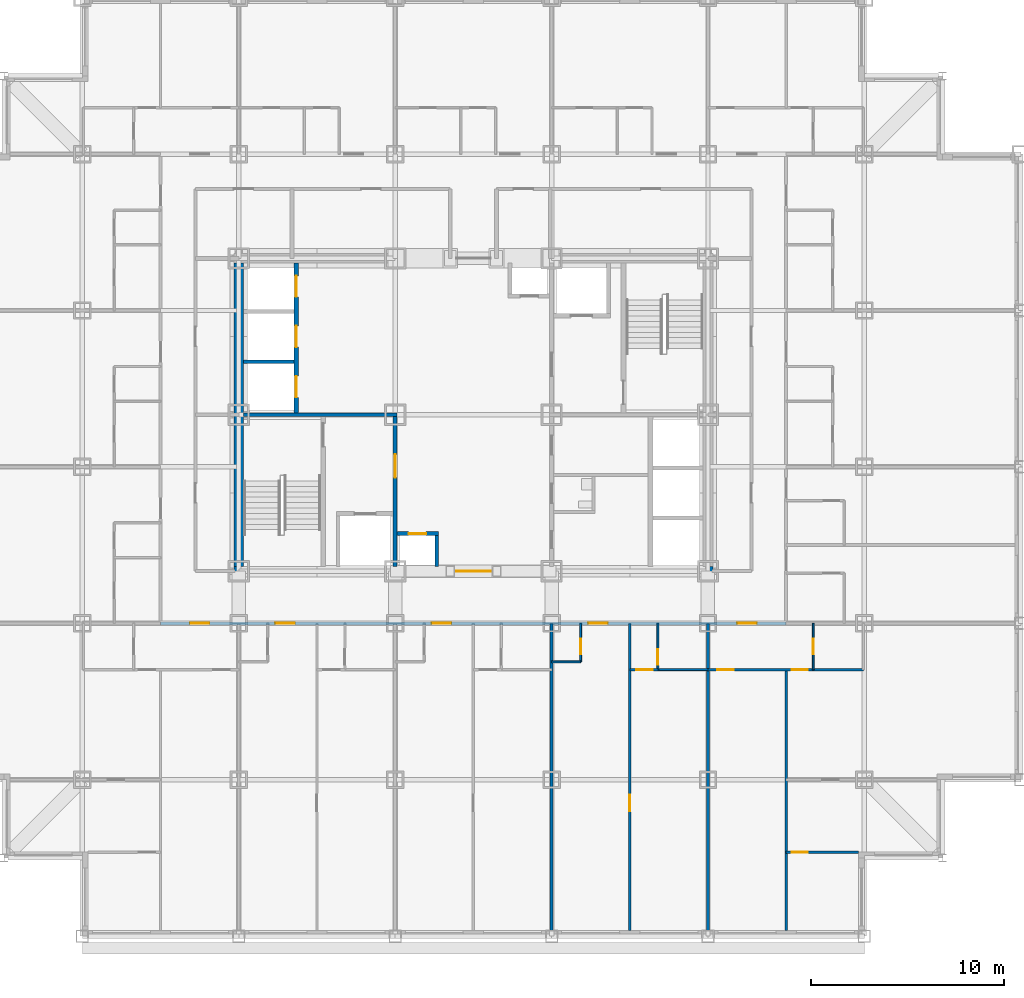
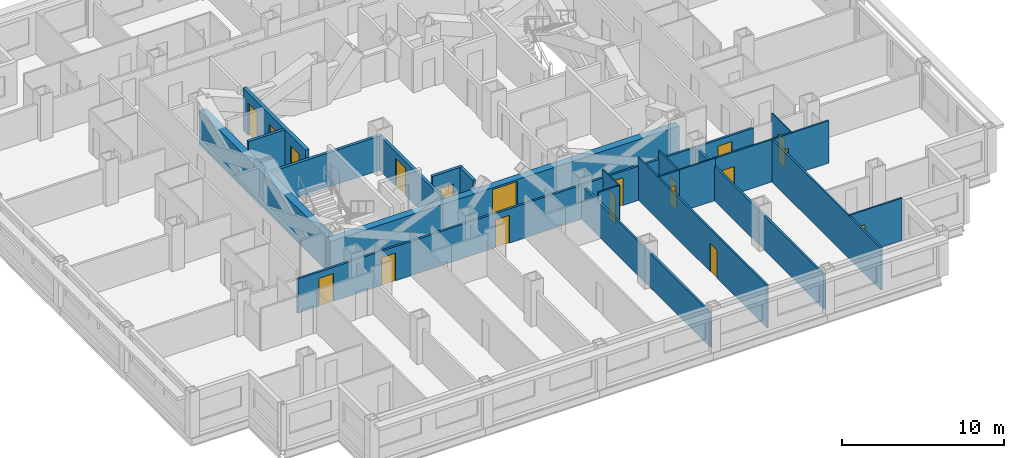
# One storey, part 6 of 13: 21 walls, 19 doors, 19 openings.
"""IFC4 building model written with IfcOpenShell, lengths in metres."""

from ifc_helpers import new_model, si_unit, direction, frame, frame_2d, origin, place, context, subcontext, project, spatial, rectangle, extrude, material, layer, layer_set, type_object, element, fill, save


model = new_model("IFC4")

# Units and contexts
model_context = context("Model", 3, precision=1e-05, world=origin(), true_north=direction((0.0, 1.0)))
body_context = subcontext(model_context, "Body", "Model", "MODEL_VIEW")
ifc_project = project(units=[si_unit("LENGTHUNIT", "METRE"), si_unit("AREAUNIT", "SQUARE_METRE"), si_unit("VOLUMEUNIT", "CUBIC_METRE"), si_unit("PLANEANGLEUNIT", "RADIAN"), si_unit("MASSUNIT", "GRAM", prefix="KILO")], contexts=[model_context])

# Site, building, storey
site_placement = place(None, origin())
site = spatial("IfcSite", under=ifc_project, at=site_placement, CompositionType="ELEMENT")
building_placement = place(site_placement, origin())
building = spatial("IfcBuilding", under=site, at=building_placement, Name="Kopane Lantern Tower", CompositionType="ELEMENT")
storey_placement = place(building_placement, frame((0.0, 0.0, 110.199951171875)))
storey = spatial("IfcBuildingStorey", under=building, at=storey_placement, Name="L27", CompositionType="ELEMENT", Elevation=110.199951171875)

# Wall, opening, door
ifc_material_1 = material(Name="Gypsum board on steel studs", Category="steel")
ifc_layer_1 = layer(ifc_material_1, 0.1201171875)
ifc_layer_set_1 = layer_set([ifc_layer_1], Name="APARTMENT INTERNAL WALL 120")
wall_type_1 = type_object("IfcWallType", Name="APARTMENT INTERNAL WALL 120", PredefinedType="PARTITIONING", material=ifc_layer_set_1)
wall_1_placement = place(storey_placement, frame((36.449951171875, 21.60009765625, 0.0), z_axis=(0.0, 0.0, 1.0), x_axis=(0.0, -1.0, 0.0)))
wall_1 = element("IfcWall", 1, at=wall_1_placement, inside=storey, type_object=wall_type_1, Name="Apartment Internal Wall 120 L27", PredefinedType="PARTITIONING", context=body_context, shape_type="SweptSolid", body=[
    extrude(rectangle(XDim=15.900146484375, YDim=0.1201171875, at=frame_2d((7.9501953125, 0.0))), origin(), (0.0, 0.0, 1.0), 3.18994140625),
])
opening_1_placement = place(wall_1_placement, frame((8.875, 0.0, 0.0)))
opening_1 = element("IfcOpeningElement", 2, at=opening_1_placement, cuts=wall_1, Name="Opening L27-020", PredefinedType="OPENING", context=body_context, shape_type="SweptSolid", body=[
    extrude(rectangle(XDim=0.85009765625, YDim=2.10009765625, at=frame_2d((0.425048828125, 1.050048828125))), frame((0.0, 0.070068359375, 0.0), z_axis=(0.0, -1.0, 0.0), x_axis=(1.0, 0.0, 0.0)), (0.0, 0.0, 1.0), 0.14013671875),
])
ifc_material_2 = material(Name="Timber door set", Category="wood")
door_type_1 = type_object("IfcDoorType", Name="DOOR D4 850x2100", OperationType="SINGLE_SWING_LEFT", PredefinedType="DOOR", material=ifc_material_2)
door_1_placement = place(opening_1_placement, origin())
door_1 = element("IfcDoor", 3, at=door_1_placement, inside=storey, type_object=door_type_1, Name="Door L27-020", OperationType="SINGLE_SWING_LEFT", OverallHeight=2.10009765625, OverallWidth=0.85009765625, PredefinedType="DOOR", context=body_context, shape_type="SweptSolid", body=[
    extrude(rectangle(XDim=0.85009765625, YDim=2.10009765625, at=frame_2d((0.425048828125, 1.050048828125))), frame((0.0, 0.02490234375, 0.0), z_axis=(0.0, -1.0, 0.0), x_axis=(1.0, 0.0, 0.0)), (0.0, 0.0, 1.0), 0.050048828125),
])
fill(opening_1, door_1)

# Wall, openings, doors
wall_2_placement = place(storey_placement, frame((40.5, 19.199951171875, 0.0), z_axis=(0.0, 0.0, 1.0), x_axis=(1.0, 0.0, 0.0)))
wall_2 = element("IfcWall", 4, at=wall_2_placement, inside=storey, type_object=wall_type_1, Name="Apartment Internal Wall 120 L27", PredefinedType="PARTITIONING", context=body_context, shape_type="SweptSolid", body=[
    extrude(rectangle(XDim=8.050048828125, YDim=0.1201171875, at=frame_2d((4.02490234375, 0.0))), origin(), (0.0, 0.0, 1.0), 3.18994140625),
])
opening_2_placement = place(wall_2_placement, frame((0.47509765625, 0.0, 0.0)))
opening_2 = element("IfcOpeningElement", 5, at=opening_2_placement, cuts=wall_2, Name="Opening L27-055", PredefinedType="OPENING", context=body_context, shape_type="SweptSolid", body=[
    extrude(rectangle(XDim=0.85009765625, YDim=2.10009765625, at=frame_2d((0.425048828125, 1.050048828125))), frame((0.0, 0.070068359375, 0.0), z_axis=(0.0, -1.0, 0.0), x_axis=(1.0, 0.0, 0.0)), (0.0, 0.0, 1.0), 0.14013671875),
])
opening_3_placement = place(wall_2_placement, frame((4.324951171875, 0.0, 0.0)))
opening_3 = element("IfcOpeningElement", 6, at=opening_3_placement, cuts=wall_2, Name="Opening L27-057", PredefinedType="OPENING", context=body_context, shape_type="SweptSolid", body=[
    extrude(rectangle(XDim=0.85009765625, YDim=2.10009765625, at=frame_2d((0.425048828125, 1.050048828125))), frame((0.0, 0.070068359375, 0.0), z_axis=(0.0, -1.0, 0.0), x_axis=(1.0, 0.0, 0.0)), (0.0, 0.0, 1.0), 0.14013671875),
])
door_2_placement = place(opening_2_placement, origin())
door_2 = element("IfcDoor", 7, at=door_2_placement, inside=storey, type_object=door_type_1, Name="Door L27-055", OperationType="SINGLE_SWING_LEFT", OverallHeight=2.10009765625, OverallWidth=0.85009765625, PredefinedType="DOOR", context=body_context, shape_type="SweptSolid", body=[
    extrude(rectangle(XDim=0.85009765625, YDim=2.10009765625, at=frame_2d((0.425048828125, 1.050048828125))), frame((0.0, 0.02490234375, 0.0), z_axis=(0.0, -1.0, 0.0), x_axis=(1.0, 0.0, 0.0)), (0.0, 0.0, 1.0), 0.050048828125),
])
fill(opening_2, door_2)
door_3_placement = place(opening_3_placement, origin())
door_3 = element("IfcDoor", 8, at=door_3_placement, inside=storey, type_object=door_type_1, Name="Door L27-057", OperationType="SINGLE_SWING_RIGHT", OverallHeight=2.10009765625, OverallWidth=0.85009765625, PredefinedType="DOOR", context=body_context, shape_type="SweptSolid", body=[
    extrude(rectangle(XDim=0.85009765625, YDim=2.10009765625, at=frame_2d((0.425048828125, 1.050048828125))), frame((0.0, 0.02490234375, 0.0), z_axis=(0.0, -1.0, 0.0), x_axis=(1.0, 0.0, 0.0)), (0.0, 0.0, 1.0), 0.050048828125),
])
fill(opening_3, door_3)

# Wall
wall_3_placement = place(storey_placement, frame((44.550048828125, 19.199951171875, 0.0), z_axis=(0.0, 0.0, 1.0), x_axis=(0.0, -1.0, 0.0)))
element("IfcWall", 9, at=wall_3_placement, inside=storey, type_object=wall_type_1, Name="Apartment Internal Wall 120 L27", PredefinedType="PARTITIONING", context=body_context, shape_type="SweptSolid", body=[
    extrude(rectangle(XDim=13.5, YDim=0.1201171875, at=frame_2d((6.75, 0.0))), origin(), (0.0, 0.0, 1.0), 3.18994140625),
])

# Wall, opening, door
wall_4_placement = place(storey_placement, frame((37.909912109375, 19.199951171875, 0.0), z_axis=(0.0, 0.0, 1.0), x_axis=(-1.0, 0.0, 0.0)))
wall_4 = element("IfcWall", 10, at=wall_4_placement, inside=storey, type_object=wall_type_1, Name="Apartment Internal Wall 120 L27", PredefinedType="PARTITIONING", context=body_context, shape_type="SweptSolid", body=[
    extrude(rectangle(XDim=1.4599609375, YDim=0.1201171875, at=frame_2d((0.72998046875, 0.0))), origin(), (0.0, 0.0, 1.0), 3.18994140625),
])
opening_4_placement = place(wall_4_placement, frame((0.27490234375, 0.0, 0.0)))
opening_4 = element("IfcOpeningElement", 11, at=opening_4_placement, cuts=wall_4, Name="Opening L27-069", PredefinedType="OPENING", context=body_context, shape_type="SweptSolid", body=[
    extrude(rectangle(XDim=0.85009765625, YDim=2.10009765625, at=frame_2d((0.425048828125, 1.050048828125))), frame((0.0, 0.070068359375, 0.0), z_axis=(0.0, -1.0, 0.0), x_axis=(1.0, 0.0, 0.0)), (0.0, 0.0, 1.0), 0.14013671875),
])
door_4_placement = place(opening_4_placement, origin())
door_4 = element("IfcDoor", 12, at=door_4_placement, inside=storey, type_object=door_type_1, Name="Door L27-069", OperationType="SINGLE_SWING_RIGHT", OverallHeight=2.10009765625, OverallWidth=0.85009765625, PredefinedType="DOOR", context=body_context, shape_type="SweptSolid", body=[
    extrude(rectangle(XDim=0.85009765625, YDim=2.10009765625, at=frame_2d((0.425048828125, 1.050048828125))), frame((0.0, 0.02490234375, 0.0), z_axis=(0.0, -1.0, 0.0), x_axis=(1.0, 0.0, 0.0)), (0.0, 0.0, 1.0), 0.050048828125),
])
fill(opening_4, door_4)

wall_5_placement = place(storey_placement, frame((44.550048828125, 9.75, 0.0), z_axis=(0.0, 0.0, 1.0), x_axis=(1.0, 0.0, 0.0)))
wall_5 = element("IfcWall", 13, at=wall_5_placement, inside=storey, type_object=wall_type_1, Name="Apartment Internal Wall 120 L27", PredefinedType="PARTITIONING", context=body_context, shape_type="SweptSolid", body=[
    extrude(rectangle(XDim=3.75, YDim=0.1201171875, at=frame_2d((1.875, 0.0))), origin(), (0.0, 0.0, 1.0), 3.18994140625),
])
opening_5_placement = place(wall_5_placement, frame((0.27490234375, 0.0, 0.0)))
opening_5 = element("IfcOpeningElement", 14, at=opening_5_placement, cuts=wall_5, Name="Opening L27-071", PredefinedType="OPENING", context=body_context, shape_type="SweptSolid", body=[
    extrude(rectangle(XDim=0.85009765625, YDim=2.10009765625, at=frame_2d((0.425048828125, 1.050048828125))), frame((0.0, 0.070068359375, 0.0), z_axis=(0.0, -1.0, 0.0), x_axis=(1.0, 0.0, 0.0)), (0.0, 0.0, 1.0), 0.14013671875),
])
door_5_placement = place(opening_5_placement, origin())
door_5 = element("IfcDoor", 15, at=door_5_placement, inside=storey, type_object=door_type_1, Name="Door L27-071", OperationType="SINGLE_SWING_RIGHT", OverallHeight=2.10009765625, OverallWidth=0.85009765625, PredefinedType="DOOR", context=body_context, shape_type="SweptSolid", body=[
    extrude(rectangle(XDim=0.85009765625, YDim=2.10009765625, at=frame_2d((0.425048828125, 1.050048828125))), frame((0.0, 0.02490234375, 0.0), z_axis=(0.0, -1.0, 0.0), x_axis=(1.0, 0.0, 0.0)), (0.0, 0.0, 1.0), 0.050048828125),
])
fill(opening_5, door_5)

# Wall
ifc_material_3 = material(Name="Moisture-resistant board on steel studs", Category="steel")
ifc_layer_2 = layer(ifc_material_3, 0.10009765625)
ifc_layer_set_2 = layer_set([ifc_layer_2], Name="BATHROOM WALL 100")
wall_type_2 = type_object("IfcWallType", Name="BATHROOM WALL 100", PredefinedType="PARTITIONING", material=ifc_layer_set_2)
wall_6_placement = place(storey_placement, frame((32.39990234375, 19.60009765625, 0.0), z_axis=(0.0, 0.0, 1.0), x_axis=(1.0, 0.0, 0.0)))
element("IfcWall", 16, at=wall_6_placement, inside=storey, type_object=wall_type_2, Name="Bathroom Wall 100 L27", PredefinedType="PARTITIONING", context=body_context, shape_type="SweptSolid", body=[
    extrude(rectangle(XDim=1.5, YDim=0.10009765625, at=frame_2d((0.75, 0.0))), origin(), (0.0, 0.0, 1.0), 3.18994140625),
])

# Wall, opening, door
wall_7_placement = place(storey_placement, frame((33.89990234375, 21.60009765625, 0.0), z_axis=(0.0, 0.0, 1.0), x_axis=(0.0, -1.0, 0.0)))
wall_7 = element("IfcWall", 17, at=wall_7_placement, inside=storey, type_object=wall_type_2, Name="Bathroom Wall 100 L27", PredefinedType="PARTITIONING", context=body_context, shape_type="SweptSolid", body=[
    extrude(rectangle(XDim=2.0, YDim=0.10009765625, at=frame_2d((1.0, 0.0))), origin(), (0.0, 0.0, 1.0), 3.18994140625),
])
opening_6_placement = place(wall_7_placement, frame((0.800048828125, 0.0, 0.0)))
opening_6 = element("IfcOpeningElement", 18, at=opening_6_placement, cuts=wall_7, Name="Opening L27-017", PredefinedType="OPENING", context=body_context, shape_type="SweptSolid", body=[
    extrude(rectangle(XDim=0.800048828125, YDim=2.10009765625, at=frame_2d((0.39990234375, 1.050048828125))), frame((0.0, 0.06005859375, 0.0), z_axis=(0.0, -1.0, 0.0), x_axis=(1.0, 0.0, 0.0)), (0.0, 0.0, 1.0), 0.1201171875),
])
ifc_material_4 = material(Name="Timber door set", Category="wood")
door_type_2 = type_object("IfcDoorType", Name="DOOR D2 800x2100", OperationType="SINGLE_SWING_LEFT", PredefinedType="DOOR", material=ifc_material_4)
door_6_placement = place(opening_6_placement, origin())
door_6 = element("IfcDoor", 19, at=door_6_placement, inside=storey, type_object=door_type_2, Name="Door L27-017", OperationType="SINGLE_SWING_LEFT", OverallHeight=2.10009765625, OverallWidth=0.800048828125, PredefinedType="DOOR", context=body_context, shape_type="SweptSolid", body=[
    extrude(rectangle(XDim=0.800048828125, YDim=2.10009765625, at=frame_2d((0.39990234375, 1.050048828125))), frame((0.0, 0.02490234375, 0.0), z_axis=(0.0, -1.0, 0.0), x_axis=(1.0, 0.0, 0.0)), (0.0, 0.0, 1.0), 0.050048828125),
])
fill(opening_6, door_6)

# Wall
wall_8_placement = place(storey_placement, frame((37.89990234375, 19.199951171875, 0.0), z_axis=(0.0, 0.0, 1.0), x_axis=(1.0, 0.0, 0.0)))
element("IfcWall", 20, at=wall_8_placement, inside=storey, type_object=wall_type_2, Name="Bathroom Wall 100 L27", PredefinedType="PARTITIONING", context=body_context, shape_type="SweptSolid", body=[
    extrude(rectangle(XDim=2.60009765625, YDim=0.10009765625, at=frame_2d((1.300048828125, 0.0))), origin(), (0.0, 0.0, 1.0), 3.18994140625),
])

# Wall, opening, door
wall_9_placement = place(storey_placement, frame((37.89990234375, 21.60009765625, 0.0), z_axis=(0.0, 0.0, 1.0), x_axis=(0.0, -1.0, 0.0)))
wall_9 = element("IfcWall", 21, at=wall_9_placement, inside=storey, type_object=wall_type_2, Name="Bathroom Wall 100 L27", PredefinedType="PARTITIONING", context=body_context, shape_type="SweptSolid", body=[
    extrude(rectangle(XDim=2.400146484375, YDim=0.10009765625, at=frame_2d((1.2001953125, 0.0))), origin(), (0.0, 0.0, 1.0), 3.18994140625),
])
opening_7_placement = place(wall_9_placement, frame((1.35009765625, 0.0, 0.0)))
opening_7 = element("IfcOpeningElement", 22, at=opening_7_placement, cuts=wall_9, Name="Opening L27-019", PredefinedType="OPENING", context=body_context, shape_type="SweptSolid", body=[
    extrude(rectangle(XDim=0.800048828125, YDim=2.10009765625, at=frame_2d((0.39990234375, 1.050048828125))), frame((0.0, 0.06005859375, 0.0), z_axis=(0.0, -1.0, 0.0), x_axis=(1.0, 0.0, 0.0)), (0.0, 0.0, 1.0), 0.1201171875),
])
door_7_placement = place(opening_7_placement, origin())
door_7 = element("IfcDoor", 23, at=door_7_placement, inside=storey, type_object=door_type_2, Name="Door L27-019", OperationType="SINGLE_SWING_LEFT", OverallHeight=2.10009765625, OverallWidth=0.800048828125, PredefinedType="DOOR", context=body_context, shape_type="SweptSolid", body=[
    extrude(rectangle(XDim=0.800048828125, YDim=2.10009765625, at=frame_2d((0.39990234375, 1.050048828125))), frame((0.0, 0.02490234375, 0.0), z_axis=(0.0, -1.0, 0.0), x_axis=(1.0, 0.0, 0.0)), (0.0, 0.0, 1.0), 0.050048828125),
])
fill(opening_7, door_7)

wall_10_placement = place(storey_placement, frame((45.949951171875, 21.60009765625, 0.0), z_axis=(0.0, 0.0, 1.0), x_axis=(0.0, -1.0, 0.0)))
wall_10 = element("IfcWall", 24, at=wall_10_placement, inside=storey, type_object=wall_type_2, Name="Bathroom Wall 100 L27", PredefinedType="PARTITIONING", context=body_context, shape_type="SweptSolid", body=[
    extrude(rectangle(XDim=2.400146484375, YDim=0.10009765625, at=frame_2d((1.2001953125, 0.0))), origin(), (0.0, 0.0, 1.0), 3.18994140625),
])
opening_8_placement = place(wall_10_placement, frame((0.800048828125, 0.0, 0.0)))
opening_8 = element("IfcOpeningElement", 25, at=opening_8_placement, cuts=wall_10, Name="Opening L27-056", PredefinedType="OPENING", context=body_context, shape_type="SweptSolid", body=[
    extrude(rectangle(XDim=0.800048828125, YDim=2.10009765625, at=frame_2d((0.39990234375, 1.050048828125))), frame((0.0, 0.06005859375, 0.0), z_axis=(0.0, -1.0, 0.0), x_axis=(1.0, 0.0, 0.0)), (0.0, 0.0, 1.0), 0.1201171875),
])
door_8_placement = place(opening_8_placement, origin())
door_8 = element("IfcDoor", 26, at=door_8_placement, inside=storey, type_object=door_type_2, Name="Door L27-056", OperationType="SINGLE_SWING_LEFT", OverallHeight=2.10009765625, OverallWidth=0.800048828125, PredefinedType="DOOR", context=body_context, shape_type="SweptSolid", body=[
    extrude(rectangle(XDim=0.800048828125, YDim=2.10009765625, at=frame_2d((0.39990234375, 1.050048828125))), frame((0.0, 0.02490234375, 0.0), z_axis=(0.0, -1.0, 0.0), x_axis=(1.0, 0.0, 0.0)), (0.0, 0.0, 1.0), 0.050048828125),
])
fill(opening_8, door_8)

ifc_material_5 = material(Name="Gypsum shaft wall EI 120", Category="gypsum")
ifc_layer_3 = layer(ifc_material_5, 0.5)
ifc_layer_set_3 = layer_set([ifc_layer_3], Name="CORE PERIMETER WALL 500 EI 120")
wall_type_3 = type_object("IfcWallType", Name="CORE PERIMETER WALL 500 EI 120", PredefinedType="SOLIDWALL", material=ifc_layer_set_3)
wall_11_placement = place(storey_placement, frame((15.949951171875, 24.300048828125, 0.0), z_axis=(0.0, 0.0, 1.0), x_axis=(1.0, 0.0, 0.0)))
wall_11 = element("IfcWall", 27, at=wall_11_placement, inside=storey, type_object=wall_type_3, Name="Core shaft wall L27 PS", PredefinedType="SOLIDWALL", context=body_context, shape_type="SweptSolid", body=[
    extrude(rectangle(XDim=24.800048828125, YDim=0.5, at=frame_2d((12.39990234375, 0.0))), origin(), (0.0, 0.0, 1.0), 2.5400390625),
])
opening_9_placement = place(wall_11_placement, frame((11.5, 0.0, 0.0)))
opening_9 = element("IfcOpeningElement", 28, at=opening_9_placement, cuts=wall_11, Name="Opening 27.CE-S", PredefinedType="OPENING", context=body_context, shape_type="SweptSolid", body=[
    extrude(rectangle(XDim=1.800048828125, YDim=2.39990234375, at=frame_2d((0.89990234375, 1.199951171875))), frame((0.0, 0.260009765625, 0.0), z_axis=(0.0, -1.0, 0.0), x_axis=(1.0, 0.0, 0.0)), (0.0, 0.0, 1.0), 0.52001953125),
])
ifc_material_6 = material(Name="Steel door set", Category="steel")
door_type_3 = type_object("IfcDoorType", Name="CORE ENTRY DOOR 1800x2400 FD60S", OperationType="DOUBLE_DOOR_SINGLE_SWING", PredefinedType="DOOR", material=ifc_material_6)
door_9_placement = place(opening_9_placement, origin())
door_9 = element("IfcDoor", 29, at=door_9_placement, inside=storey, type_object=door_type_3, Name="Core entry door L27 south", OperationType="DOUBLE_DOOR_SINGLE_SWING", OverallHeight=2.39990234375, OverallWidth=1.800048828125, PredefinedType="DOOR", context=body_context, shape_type="SweptSolid", body=[
    extrude(rectangle(XDim=1.800048828125, YDim=2.39990234375, at=frame_2d((0.89990234375, 1.199951171875))), frame((0.0, 0.02490234375, 0.0), z_axis=(0.0, -1.0, 0.0), x_axis=(1.0, 0.0, 0.0)), (0.0, 0.0, 1.0), 0.050048828125),
])
fill(opening_9, door_9)

# Wall
wall_12_placement = place(storey_placement, frame((16.199951171875, 24.550048828125, 0.0), z_axis=(0.0, 0.0, 1.0), x_axis=(0.0, 1.0, 0.0)))
element("IfcWall", 30, at=wall_12_placement, inside=storey, type_object=wall_type_3, Name="Core shaft wall L27 PW", PredefinedType="SOLIDWALL", context=body_context, shape_type="SweptSolid", body=[
    extrude(rectangle(XDim=15.699951171875, YDim=0.5, at=frame_2d((7.85009765625, 0.0))), origin(), (0.0, 0.0, 1.0), 2.577880859375),
])

# Wall, openings, doors
ifc_material_7 = material(Name="Gypsum shaft wall EI 120", Category="gypsum")
ifc_layer_4 = layer(ifc_material_7, 0.25)
ifc_layer_set_4 = layer_set([ifc_layer_4], Name="CORE SHAFT WALL 250 EI 120")
wall_type_4 = type_object("IfcWallType", Name="CORE SHAFT WALL 250 EI 120", PredefinedType="SOLIDWALL", material=ifc_layer_set_4)
wall_13_placement = place(storey_placement, frame((19.175048828125, 32.5, 0.0), z_axis=(0.0, 0.0, 1.0), x_axis=(0.0, 1.0, 0.0)))
wall_13 = element("IfcWall", 31, at=wall_13_placement, inside=storey, type_object=wall_type_4, Name="Core shaft wall L27 XLH", PredefinedType="SOLIDWALL", context=body_context, shape_type="SweptSolid", body=[
    extrude(rectangle(XDim=7.75, YDim=0.25, at=frame_2d((3.875, 0.0))), origin(), (0.0, 0.0, 1.0), 3.18994140625),
])
opening_10_placement = place(wall_13_placement, frame((0.800048828125, 0.0, 0.0)))
opening_10 = element("IfcOpeningElement", 32, at=opening_10_placement, cuts=wall_13, Name="Opening 27.LD-LH1", PredefinedType="OPENING", context=body_context, shape_type="SweptSolid", body=[
    extrude(rectangle(XDim=1.10009765625, YDim=2.39990234375, at=frame_2d((0.550048828125, 1.199951171875))), frame((0.0, 0.135009765625, 0.0), z_axis=(0.0, -1.0, 0.0), x_axis=(1.0, 0.0, 0.0)), (0.0, 0.0, 1.0), 0.27001953125),
])
opening_11_placement = place(wall_13_placement, frame((3.39990234375, 0.0, 0.0)))
opening_11 = element("IfcOpeningElement", 33, at=opening_11_placement, cuts=wall_13, Name="Opening 27.LD-LH2", PredefinedType="OPENING", context=body_context, shape_type="SweptSolid", body=[
    extrude(rectangle(XDim=1.10009765625, YDim=2.39990234375, at=frame_2d((0.550048828125, 1.199951171875))), frame((0.0, 0.135009765625, 0.0), z_axis=(0.0, -1.0, 0.0), x_axis=(1.0, 0.0, 0.0)), (0.0, 0.0, 1.0), 0.27001953125),
])
opening_12_placement = place(wall_13_placement, frame((6.0, 0.0, 0.0)))
opening_12 = element("IfcOpeningElement", 34, at=opening_12_placement, cuts=wall_13, Name="Opening 27.LD-LH3", PredefinedType="OPENING", context=body_context, shape_type="SweptSolid", body=[
    extrude(rectangle(XDim=1.10009765625, YDim=2.39990234375, at=frame_2d((0.550048828125, 1.199951171875))), frame((0.0, 0.135009765625, 0.0), z_axis=(0.0, -1.0, 0.0), x_axis=(1.0, 0.0, 0.0)), (0.0, 0.0, 1.0), 0.27001953125),
])
ifc_material_8 = material(Name="Steel door set", Category="steel")
door_type_4 = type_object("IfcDoorType", Name="LIFT LANDING DOOR 1100x2400 FD60", OperationType="DOUBLE_DOOR_SLIDING", PredefinedType="DOOR", material=ifc_material_8)
door_10_placement = place(opening_10_placement, origin())
door_10 = element("IfcDoor", 35, at=door_10_placement, inside=storey, type_object=door_type_4, Name="Landing door LH1 L27", OperationType="DOUBLE_DOOR_SLIDING", OverallHeight=2.39990234375, OverallWidth=1.10009765625, PredefinedType="DOOR", context=body_context, shape_type="SweptSolid", body=[
    extrude(rectangle(XDim=1.10009765625, YDim=2.39990234375, at=frame_2d((0.550048828125, 1.199951171875))), frame((0.0, 0.02490234375, 0.0), z_axis=(0.0, -1.0, 0.0), x_axis=(1.0, 0.0, 0.0)), (0.0, 0.0, 1.0), 0.050048828125),
])
fill(opening_10, door_10)
door_11_placement = place(opening_11_placement, origin())
door_11 = element("IfcDoor", 36, at=door_11_placement, inside=storey, type_object=door_type_4, Name="Landing door LH2 L27", OperationType="DOUBLE_DOOR_SLIDING", OverallHeight=2.39990234375, OverallWidth=1.10009765625, PredefinedType="DOOR", context=body_context, shape_type="SweptSolid", body=[
    extrude(rectangle(XDim=1.10009765625, YDim=2.39990234375, at=frame_2d((0.550048828125, 1.199951171875))), frame((0.0, 0.02490234375, 0.0), z_axis=(0.0, -1.0, 0.0), x_axis=(1.0, 0.0, 0.0)), (0.0, 0.0, 1.0), 0.050048828125),
])
fill(opening_11, door_11)
door_12_placement = place(opening_12_placement, origin())
door_12 = element("IfcDoor", 37, at=door_12_placement, inside=storey, type_object=door_type_4, Name="Landing door LH3 L27", OperationType="DOUBLE_DOOR_SLIDING", OverallHeight=2.39990234375, OverallWidth=1.10009765625, PredefinedType="DOOR", context=body_context, shape_type="SweptSolid", body=[
    extrude(rectangle(XDim=1.10009765625, YDim=2.39990234375, at=frame_2d((0.550048828125, 1.199951171875))), frame((0.0, 0.02490234375, 0.0), z_axis=(0.0, -1.0, 0.0), x_axis=(1.0, 0.0, 0.0)), (0.0, 0.0, 1.0), 0.050048828125),
])
fill(opening_12, door_12)

ifc_material_9 = material(Name="Gypsum board on steel studs", Category="steel")
ifc_layer_5 = layer(ifc_material_9, 0.14990234375)
ifc_layer_set_5 = layer_set([ifc_layer_5], Name="CORRIDOR WALL 150 EI 60")
wall_type_5 = type_object("IfcWallType", Name="CORRIDOR WALL 150 EI 60", PredefinedType="PARTITIONING", material=ifc_layer_set_5)
wall_14_placement = place(storey_placement, frame((12.14990234375, 21.60009765625, 0.0), z_axis=(0.0, 0.0, 1.0), x_axis=(1.0, 0.0, 0.0)))
wall_14 = element("IfcWall", 38, at=wall_14_placement, inside=storey, type_object=wall_type_5, Name="Corridor Wall 150 Ei 60 L27", PredefinedType="PARTITIONING", context=body_context, shape_type="SweptSolid", body=[
    extrude(rectangle(XDim=32.400146484375, YDim=0.14990234375, at=frame_2d((16.2001953125, 0.0))), origin(), (0.0, 0.0, 1.0), 2.577880859375),
])
opening_13_placement = place(wall_14_placement, frame((5.949951171875, 0.0, 0.0)))
opening_13 = element("IfcOpeningElement", 39, at=opening_13_placement, cuts=wall_14, Name="Opening L27-010", PredefinedType="OPENING", context=body_context, shape_type="SweptSolid", body=[
    extrude(rectangle(XDim=1.0, YDim=2.10009765625, at=frame_2d((0.5, 1.050048828125))), frame((0.0, 0.0849609375, 0.0), z_axis=(0.0, -1.0, 0.0), x_axis=(1.0, 0.0, 0.0)), (0.0, 0.0, 1.0), 0.169921875),
])
opening_14_placement = place(wall_14_placement, frame((14.050048828125, 0.0, 0.0)))
opening_14 = element("IfcOpeningElement", 40, at=opening_14_placement, cuts=wall_14, Name="Opening L27-014", PredefinedType="OPENING", context=body_context, shape_type="SweptSolid", body=[
    extrude(rectangle(XDim=1.0, YDim=2.10009765625, at=frame_2d((0.5, 1.050048828125))), frame((0.0, 0.0849609375, 0.0), z_axis=(0.0, -1.0, 0.0), x_axis=(1.0, 0.0, 0.0)), (0.0, 0.0, 1.0), 0.169921875),
])
opening_15_placement = place(wall_14_placement, frame((22.14990234375, 0.0, 0.0)))
opening_15 = element("IfcOpeningElement", 41, at=opening_15_placement, cuts=wall_14, Name="Opening L27-018", PredefinedType="OPENING", context=body_context, shape_type="SweptSolid", body=[
    extrude(rectangle(XDim=1.0, YDim=2.10009765625, at=frame_2d((0.5, 1.050048828125))), frame((0.0, 0.0849609375, 0.0), z_axis=(0.0, -1.0, 0.0), x_axis=(1.0, 0.0, 0.0)), (0.0, 0.0, 1.0), 0.169921875),
])
opening_16_placement = place(wall_14_placement, frame((1.52490234375, 0.0, 0.0)))
opening_16 = element("IfcOpeningElement", 42, at=opening_16_placement, cuts=wall_14, Name="Opening L27-049", PredefinedType="OPENING", context=body_context, shape_type="SweptSolid", body=[
    extrude(rectangle(XDim=1.0, YDim=2.10009765625, at=frame_2d((0.5, 1.050048828125))), frame((0.0, 0.0849609375, 0.0), z_axis=(0.0, -1.0, 0.0), x_axis=(1.0, 0.0, 0.0)), (0.0, 0.0, 1.0), 0.169921875),
])
opening_17_placement = place(wall_14_placement, frame((29.875, 0.0, 0.0)))
opening_17 = element("IfcOpeningElement", 43, at=opening_17_placement, cuts=wall_14, Name="Opening L27-054", PredefinedType="OPENING", context=body_context, shape_type="SweptSolid", body=[
    extrude(rectangle(XDim=1.0, YDim=2.10009765625, at=frame_2d((0.5, 1.050048828125))), frame((0.0, 0.0849609375, 0.0), z_axis=(0.0, -1.0, 0.0), x_axis=(1.0, 0.0, 0.0)), (0.0, 0.0, 1.0), 0.169921875),
])
ifc_material_10 = material(Name="Steel door set", Category="steel")
door_type_5 = type_object("IfcDoorType", Name="DOOR D1 1000x2100 FD30S", OperationType="SINGLE_SWING_LEFT", PredefinedType="DOOR", material=ifc_material_10)
door_13_placement = place(opening_13_placement, origin())
door_13 = element("IfcDoor", 44, at=door_13_placement, inside=storey, type_object=door_type_5, Name="Door L27-010", OperationType="SINGLE_SWING_RIGHT", OverallHeight=2.10009765625, OverallWidth=1.0, PredefinedType="DOOR", context=body_context, shape_type="SweptSolid", body=[
    extrude(rectangle(XDim=1.0, YDim=2.10009765625, at=frame_2d((0.5, 1.050048828125))), frame((0.0, 0.02490234375, 0.0), z_axis=(0.0, -1.0, 0.0), x_axis=(1.0, 0.0, 0.0)), (0.0, 0.0, 1.0), 0.050048828125),
])
fill(opening_13, door_13)
door_14_placement = place(opening_14_placement, origin())
door_14 = element("IfcDoor", 45, at=door_14_placement, inside=storey, type_object=door_type_5, Name="Door L27-014", OperationType="SINGLE_SWING_RIGHT", OverallHeight=2.10009765625, OverallWidth=1.0, PredefinedType="DOOR", context=body_context, shape_type="SweptSolid", body=[
    extrude(rectangle(XDim=1.0, YDim=2.10009765625, at=frame_2d((0.5, 1.050048828125))), frame((0.0, 0.02490234375, 0.0), z_axis=(0.0, -1.0, 0.0), x_axis=(1.0, 0.0, 0.0)), (0.0, 0.0, 1.0), 0.050048828125),
])
fill(opening_14, door_14)
door_15_placement = place(opening_15_placement, origin())
door_15 = element("IfcDoor", 46, at=door_15_placement, inside=storey, type_object=door_type_5, Name="Door L27-018", OperationType="SINGLE_SWING_RIGHT", OverallHeight=2.10009765625, OverallWidth=1.0, PredefinedType="DOOR", context=body_context, shape_type="SweptSolid", body=[
    extrude(rectangle(XDim=1.0, YDim=2.10009765625, at=frame_2d((0.5, 1.050048828125))), frame((0.0, 0.02490234375, 0.0), z_axis=(0.0, -1.0, 0.0), x_axis=(1.0, 0.0, 0.0)), (0.0, 0.0, 1.0), 0.050048828125),
])
fill(opening_15, door_15)
door_16_placement = place(opening_16_placement, origin())
door_16 = element("IfcDoor", 47, at=door_16_placement, inside=storey, type_object=door_type_5, Name="Door L27-049", OperationType="SINGLE_SWING_LEFT", OverallHeight=2.10009765625, OverallWidth=1.0, PredefinedType="DOOR", context=body_context, shape_type="SweptSolid", body=[
    extrude(rectangle(XDim=1.0, YDim=2.10009765625, at=frame_2d((0.5, 1.050048828125))), frame((0.0, 0.02490234375, 0.0), z_axis=(0.0, -1.0, 0.0), x_axis=(1.0, 0.0, 0.0)), (0.0, 0.0, 1.0), 0.050048828125),
])
fill(opening_16, door_16)
door_17_placement = place(opening_17_placement, origin())
door_17 = element("IfcDoor", 48, at=door_17_placement, inside=storey, type_object=door_type_5, Name="Door L27-054", OperationType="SINGLE_SWING_RIGHT", OverallHeight=2.10009765625, OverallWidth=1.0, PredefinedType="DOOR", context=body_context, shape_type="SweptSolid", body=[
    extrude(rectangle(XDim=1.0, YDim=2.10009765625, at=frame_2d((0.5, 1.050048828125))), frame((0.0, 0.02490234375, 0.0), z_axis=(0.0, -1.0, 0.0), x_axis=(1.0, 0.0, 0.0)), (0.0, 0.0, 1.0), 0.050048828125),
])
fill(opening_17, door_17)

# Walls
ifc_material_11 = material(Name="Gypsum board on steel studs", Category="steel")
ifc_layer_6 = layer(ifc_material_11, 0.14990234375)
ifc_layer_set_6 = layer_set([ifc_layer_6], Name="DEMISING WALL 150 EI 60")
wall_type_6 = type_object("IfcWallType", Name="DEMISING WALL 150 EI 60", PredefinedType="PARTITIONING", material=ifc_layer_set_6)
for number, where, z_axis, x_axis, name in (
    (49, (32.39990234375, 21.60009765625, 0.0), (0.0, 0.0, 1.0), (0.0, -1.0, 0.0), "Demising Wall 150 Ei 60 L27"),
    (50, (40.5, 21.60009765625, 0.0), (0.0, 0.0, 1.0), (0.0, -1.0, 0.0), "Demising Wall 150 Ei 60 L27"),
):
    element("IfcWall", number, at=place(storey_placement, frame(where, z_axis=z_axis, x_axis=x_axis)), inside=storey, type_object=wall_type_6, Name=name, PredefinedType="PARTITIONING", context=body_context, shape_type="SweptSolid", body=[
        extrude(rectangle(XDim=15.900146484375, YDim=0.14990234375, at=frame_2d((7.9501953125, 0.0))), origin(), (0.0, 0.0, 1.0), 2.577880859375),
    ])
ifc_material_12 = material(Name="Gypsum shaft wall EI 120", Category="gypsum")
ifc_layer_7 = layer(ifc_material_12, 0.199951171875)
ifc_layer_set_7 = layer_set([ifc_layer_7], Name="SHAFT WALL 200 EI 120")
wall_type_7 = type_object("IfcWallType", Name="SHAFT WALL 200 EI 120", PredefinedType="SOLIDWALL", material=ifc_layer_set_7)
wall_15_placement = place(storey_placement, frame((16.449951171875, 32.39990234375, 0.0), z_axis=(0.0, 0.0, 1.0), x_axis=(1.0, 0.0, 0.0)))
element("IfcWall", 51, at=wall_15_placement, inside=storey, type_object=wall_type_7, Name="Core shaft wall L27 Y324W", PredefinedType="SOLIDWALL", context=body_context, shape_type="SweptSolid", body=[
    extrude(rectangle(XDim=7.949951171875, YDim=0.199951171875, at=frame_2d((3.97509765625, 0.0))), origin(), (0.0, 0.0, 1.0), 2.577880859375),
])

# Wall, opening, door
wall_16_placement = place(storey_placement, frame((24.300048828125, 24.550048828125, 0.0), z_axis=(0.0, 0.0, 1.0), x_axis=(0.0, 1.0, 0.0)))
wall_16 = element("IfcWall", 52, at=wall_16_placement, inside=storey, type_object=wall_type_7, Name="Core shaft wall L27 X243", PredefinedType="SOLIDWALL", context=body_context, shape_type="SweptSolid", body=[
    extrude(rectangle(XDim=7.75, YDim=0.199951171875, at=frame_2d((3.875, 0.0))), origin(), (0.0, 0.0, 1.0), 2.577880859375),
])
opening_18_placement = place(wall_16_placement, frame((4.60009765625, 0.0, 0.0)))
opening_18 = element("IfcOpeningElement", 53, at=opening_18_placement, cuts=wall_16, Name="Opening 27.FL1", PredefinedType="OPENING", context=body_context, shape_type="SweptSolid", body=[
    extrude(rectangle(XDim=1.199951171875, YDim=2.10009765625, at=frame_2d((0.60009765625, 1.050048828125))), frame((0.0, 0.10986328125, 0.0), z_axis=(0.0, -1.0, 0.0), x_axis=(1.0, 0.0, 0.0)), (0.0, 0.0, 1.0), 0.219970703125),
])
ifc_material_13 = material(Name="Steel door set", Category="steel")
door_type_6 = type_object("IfcDoorType", Name="FIREFIGHTING LOBBY DOOR 1200x2100 FD60S", OperationType="SINGLE_SWING_RIGHT", PredefinedType="DOOR", material=ifc_material_13)
door_18_placement = place(opening_18_placement, origin())
door_18 = element("IfcDoor", 54, at=door_18_placement, inside=storey, type_object=door_type_6, Name="Firefighting lobby door FL1 L27", OperationType="SINGLE_SWING_LEFT", OverallHeight=2.10009765625, OverallWidth=1.199951171875, PredefinedType="DOOR", context=body_context, shape_type="SweptSolid", body=[
    extrude(rectangle(XDim=1.199951171875, YDim=2.10009765625, at=frame_2d((0.60009765625, 1.050048828125))), frame((0.0, 0.02490234375, 0.0), z_axis=(0.0, -1.0, 0.0), x_axis=(1.0, 0.0, 0.0)), (0.0, 0.0, 1.0), 0.050048828125),
])
fill(opening_18, door_18)

# Walls
wall_17_placement = place(storey_placement, frame((16.449951171875, 35.14990234375, 0.0), z_axis=(0.0, 0.0, 1.0), x_axis=(1.0, 0.0, 0.0)))
element("IfcWall", 55, at=wall_17_placement, inside=storey, type_object=wall_type_7, Name="Core shaft wall L27 YLH12", PredefinedType="SOLIDWALL", context=body_context, shape_type="SweptSolid", body=[
    extrude(rectangle(XDim=2.60009765625, YDim=0.199951171875, at=frame_2d((1.300048828125, 0.0))), origin(), (0.0, 0.0, 1.0), 3.18994140625),
])
wall_18_placement = place(storey_placement, frame((26.449951171875, 24.550048828125, 0.0), z_axis=(0.0, 0.0, 1.0), x_axis=(0.0, 1.0, 0.0)))
element("IfcWall", 56, at=wall_18_placement, inside=storey, type_object=wall_type_7, Name="Core shaft wall L27 XRS1", PredefinedType="SOLIDWALL", context=body_context, shape_type="SweptSolid", body=[
    extrude(rectangle(XDim=1.599853515625, YDim=0.199951171875, at=frame_2d((0.7998046875, 0.0))), origin(), (0.0, 0.0, 1.0), 3.18994140625),
])

# Wall, opening, door
wall_19_placement = place(storey_placement, frame((24.39990234375, 26.25, 0.0), z_axis=(0.0, 0.0, 1.0), x_axis=(1.0, 0.0, 0.0)))
wall_19 = element("IfcWall", 57, at=wall_19_placement, inside=storey, type_object=wall_type_7, Name="Core shaft wall L27 YRS1", PredefinedType="SOLIDWALL", context=body_context, shape_type="SweptSolid", body=[
    extrude(rectangle(XDim=2.150146484375, YDim=0.199951171875, at=frame_2d((1.0751953125, 0.0))), origin(), (0.0, 0.0, 1.0), 3.18994140625),
])
opening_19_placement = place(wall_19_placement, frame((0.60009765625, 0.0, 0.0)))
opening_19 = element("IfcOpeningElement", 58, at=opening_19_placement, cuts=wall_19, Name="Opening 27.RS1", PredefinedType="OPENING", context=body_context, shape_type="SweptSolid", body=[
    extrude(rectangle(XDim=0.89990234375, YDim=2.10009765625, at=frame_2d((0.449951171875, 1.050048828125))), frame((0.0, 0.10986328125, 0.0), z_axis=(0.0, -1.0, 0.0), x_axis=(1.0, 0.0, 0.0)), (0.0, 0.0, 1.0), 0.219970703125),
])
ifc_material_14 = material(Name="Steel door set", Category="steel")
door_type_7 = type_object("IfcDoorType", Name="RISER ACCESS DOOR 900x2100 FD60", OperationType="SINGLE_SWING_LEFT", PredefinedType="DOOR", material=ifc_material_14)
door_19_placement = place(opening_19_placement, origin())
door_19 = element("IfcDoor", 59, at=door_19_placement, inside=storey, type_object=door_type_7, Name="Riser access door RS1 L27", OperationType="SINGLE_SWING_LEFT", OverallHeight=2.10009765625, OverallWidth=0.89990234375, PredefinedType="DOOR", context=body_context, shape_type="SweptSolid", body=[
    extrude(rectangle(XDim=0.89990234375, YDim=2.10009765625, at=frame_2d((0.449951171875, 1.050048828125))), frame((0.0, 0.02490234375, 0.0), z_axis=(0.0, -1.0, 0.0), x_axis=(1.0, 0.0, 0.0)), (0.0, 0.0, 1.0), 0.050048828125),
])
fill(opening_19, door_19)

save(model, "model.ifc")
